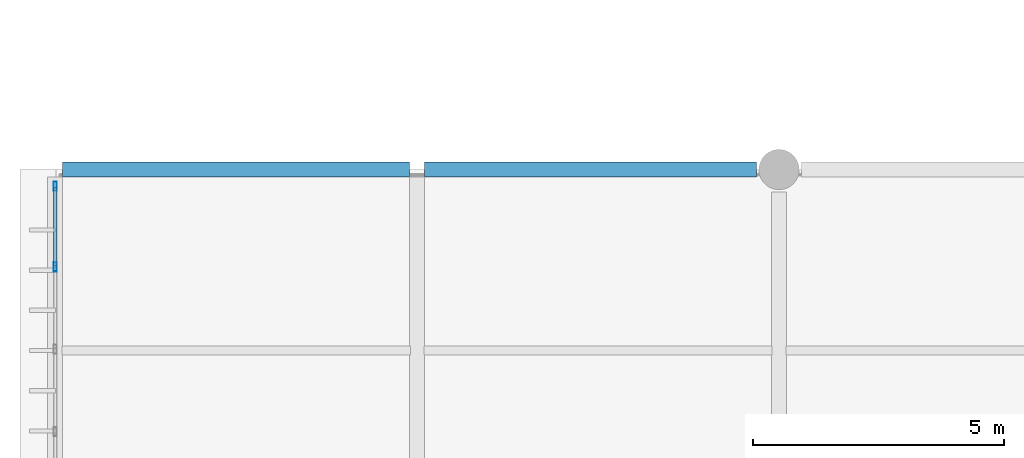
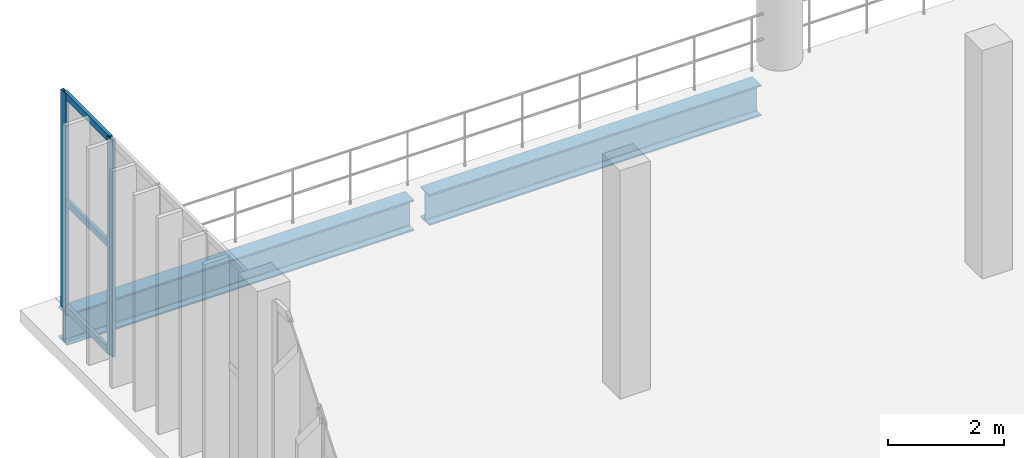
# One storey, part 45 of 105: 5 members, 2 beams, 1 element without a shape of its own.
"""IFC4 building model written with IfcOpenShell, lengths in metres."""

from ifc_helpers import new_model, si_unit, direction, frame, origin, origin_2d, place, context, subcontext, project, spatial, hollow_rectangle, i_section, extrude, material, material_profile, profile_set, type_object, element, aggregate, save


model = new_model("IFC4")

# Units and contexts
model_context = context("Model", 3, precision=1e-05, world=origin(), true_north=direction((0.0, 1.0)))
body_context = subcontext(model_context, "Body", "Model", "MODEL_VIEW")
ifc_project = project(units=[si_unit("LENGTHUNIT", "METRE"), si_unit("AREAUNIT", "SQUARE_METRE"), si_unit("VOLUMEUNIT", "CUBIC_METRE"), si_unit("PLANEANGLEUNIT", "RADIAN"), si_unit("MASSUNIT", "GRAM", prefix="KILO")], contexts=[model_context])

# Site, building, storey
site_placement = place(None, origin())
site = spatial("IfcSite", under=ifc_project, at=site_placement, CompositionType="ELEMENT")
building_placement = place(site_placement, origin())
building = spatial("IfcBuilding", under=site, at=building_placement, Name="Qandorah Velis Arena", CompositionType="ELEMENT")
storey_placement = place(building_placement, frame((0.0, 0.0, 13.800048828125)))
storey = spatial("IfcBuildingStorey", under=building, at=storey_placement, Name="L03", CompositionType="ELEMENT", Elevation=13.800048828125)

# Curtain wall, members
ifc_material_1 = material(Name="Solar-control low-E double glazing", Category="glass")
curtain_wall_type = type_object("IfcCurtainWallType", Name="ARC-CW-SYS06", PredefinedType="USERDEFINED", material=ifc_material_1)
curtain_wall_placement = place(storey_placement, origin())
curtain_wall = element("IfcCurtainWall", 1, at=curtain_wall_placement, inside=storey, type_object=curtain_wall_type, Name="Unitised curtain wall L03-030", ObjectType="UNITISED CURTAIN WALL", PredefinedType="USERDEFINED")
ifc_material_2 = material(Name="Champagne-bronze anodized aluminium 6063-T6", Category="aluminium")
ifc_material_profile_1 = material_profile(ifc_material_2, hollow_rectangle(XDim=0.06494140625, YDim=0.179931640625, WallThickness=0.00341796875, at=origin_2d()), Name="ALU MULLION 65x180")
ifc_profile_set_1 = profile_set([ifc_material_profile_1], Name="Champagne-bronze anodized aluminium 6063-T6")
member_type_1 = type_object("IfcMemberType", Name="ARC-CWM-180", PredefinedType="MULLION", material=ifc_profile_set_1)
member_1_placement = place(storey_placement, frame((0.0, 113.262451171875, -0.01513671875), z_axis=(0.0, 0.0, 1.0), x_axis=(-1.0, 0.0, 0.0)))
member_1 = element("IfcMember", 2, at=member_1_placement, type_object=member_type_1, Name="CW06 mullion 4", PredefinedType="MULLION", context=body_context, shape_type="SweptSolid", body=[
    extrude(hollow_rectangle(XDim=0.06494140625, YDim=0.179931640625, WallThickness=0.00341796875, at=origin_2d()), origin(), (0.0, 0.0, 1.0), 4.56005859375),
])
member_2_placement = place(storey_placement, frame((0.0, 114.867431640625, -0.01513671875), z_axis=(0.0, 0.0, 1.0), x_axis=(-1.0, 0.0, 0.0)))
member_2 = element("IfcMember", 3, at=member_2_placement, type_object=member_type_1, Name="CW06 mullion 5", PredefinedType="MULLION", context=body_context, shape_type="SweptSolid", body=[
    extrude(hollow_rectangle(XDim=0.06494140625, YDim=0.179931640625, WallThickness=0.00341796875, at=origin_2d()), origin(), (0.0, 0.0, 1.0), 4.56005859375),
])
ifc_material_profile_2 = material_profile(ifc_material_2, hollow_rectangle(XDim=0.06494140625, YDim=0.139892578125, WallThickness=0.0029296875, at=origin_2d()), Name="ALU TRANSOM 65x140")
ifc_profile_set_2 = profile_set([ifc_material_profile_2], Name="Champagne-bronze anodized aluminium 6063-T6")
member_type_2 = type_object("IfcMemberType", Name="ARC-CWT-140", PredefinedType="USERDEFINED", material=ifc_profile_set_2)
member_3_placement = place(storey_placement, frame((0.0, 113.282958984375, 0.032470703125), z_axis=(0.0, 1.0, 0.0), x_axis=(-1.0, 0.0, 0.0)))
member_3 = element("IfcMember", 4, at=member_3_placement, type_object=member_type_2, Name="CW06 transom 4.1", ObjectType="TRANSOM", PredefinedType="USERDEFINED", context=body_context, shape_type="SweptSolid", body=[
    extrude(hollow_rectangle(XDim=0.06494140625, YDim=0.139892578125, WallThickness=0.0029296875, at=origin_2d()), origin(), (0.0, 0.0, 1.0), 1.56396484375),
])
member_4_placement = place(storey_placement, frame((0.0, 113.282958984375, 2.264892578125), z_axis=(0.0, 1.0, 0.0), x_axis=(-1.0, 0.0, 0.0)))
member_4 = element("IfcMember", 5, at=member_4_placement, type_object=member_type_2, Name="CW06 transom 4.2", ObjectType="TRANSOM", PredefinedType="USERDEFINED", context=body_context, shape_type="SweptSolid", body=[
    extrude(hollow_rectangle(XDim=0.06494140625, YDim=0.139892578125, WallThickness=0.0029296875, at=origin_2d()), origin(), (0.0, 0.0, 1.0), 1.56396484375),
])
member_5_placement = place(storey_placement, frame((0.0, 113.282958984375, 4.49755859375), z_axis=(0.0, 1.0, 0.0), x_axis=(-1.0, 0.0, 0.0)))
member_5 = element("IfcMember", 6, at=member_5_placement, type_object=member_type_2, Name="CW06 transom 4.3", ObjectType="TRANSOM", PredefinedType="USERDEFINED", context=body_context, shape_type="SweptSolid", body=[
    extrude(hollow_rectangle(XDim=0.06494140625, YDim=0.139892578125, WallThickness=0.0029296875, at=origin_2d()), origin(), (0.0, 0.0, 1.0), 1.56396484375),
])
aggregate(curtain_wall, [member_1, member_2, member_3, member_4, member_5])

# Beams
ifc_material_3 = material(Name="Steel S355", Category="steel")
ifc_material_profile_3 = material_profile(ifc_material_3, i_section(OverallWidth=0.300048828125, OverallDepth=0.64990234375, WebThickness=0.01611328125, FlangeThickness=0.031005859375, FilletRadius=0.027099609375, at=origin_2d()), Name="HEB 650")
ifc_profile_set_3 = profile_set([ifc_material_profile_3], Name="Steel S355")
beam_type = type_object("IfcBeamType", Name="STR-BM-HEB650", PredefinedType="BEAM", material=ifc_profile_set_3)
beam_1_placement = place(storey_placement, frame((0.14990234375, 115.199951171875, -0.64501953125), z_axis=(1.0, 0.0, 0.0), x_axis=(0.0, 1.0, 0.0)))
element("IfcBeam", 7, at=beam_1_placement, inside=storey, type_object=beam_type, Name="Primary floor girder L03 X-138", PredefinedType="BEAM", context=body_context, shape_type="SweptSolid", body=[
    extrude(i_section(OverallWidth=0.300048828125, OverallDepth=0.64990234375, WebThickness=0.01611328125, FlangeThickness=0.031005859375, FilletRadius=0.027099609375, at=origin_2d()), origin(), (0.0, 0.0, 1.0), 6.900146484375),
])
beam_2_placement = place(storey_placement, frame((7.35009765625, 115.199951171875, -0.64501953125), z_axis=(1.0, 0.0, 0.0), x_axis=(0.0, 1.0, 0.0)))
element("IfcBeam", 8, at=beam_2_placement, inside=storey, type_object=beam_type, Name="Primary floor girder L03 X-139", PredefinedType="BEAM", context=body_context, shape_type="SweptSolid", body=[
    extrude(i_section(OverallWidth=0.300048828125, OverallDepth=0.64990234375, WebThickness=0.01611328125, FlangeThickness=0.031005859375, FilletRadius=0.027099609375, at=origin_2d()), origin(), (0.0, 0.0, 1.0), 6.599853515625),
])

save(model, "model.ifc")
